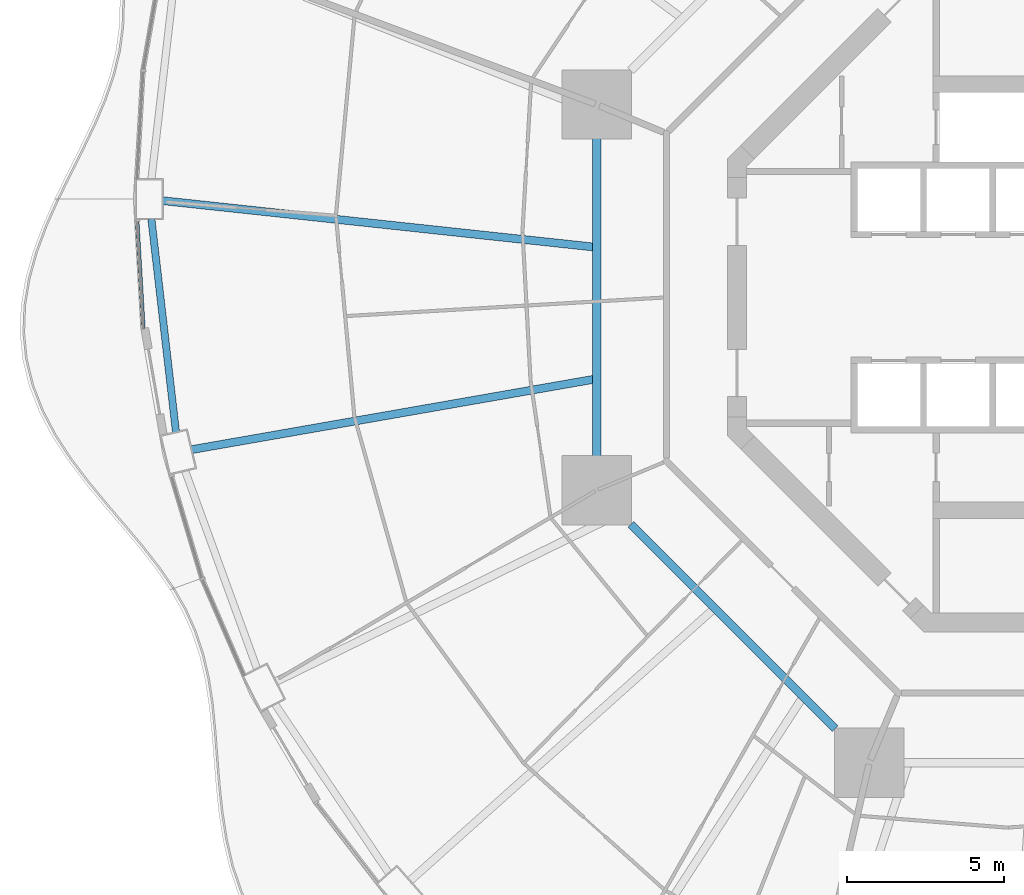
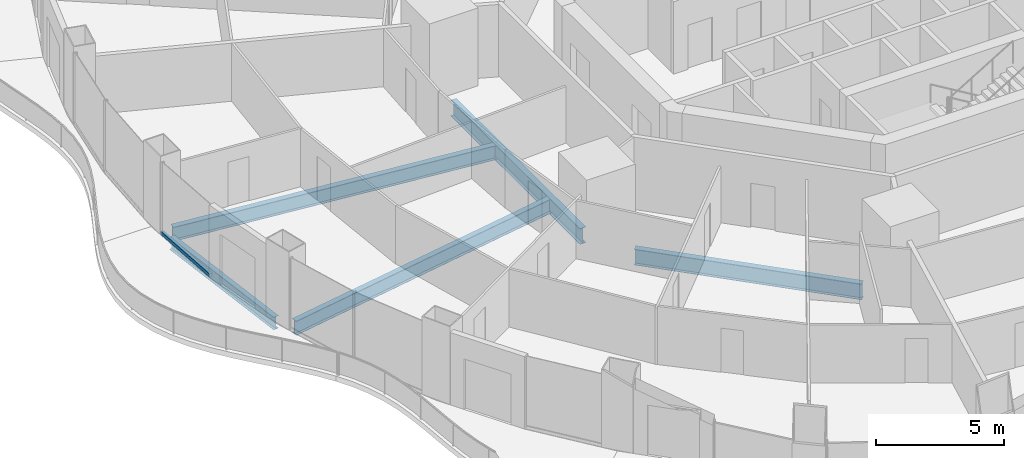
# One storey, part 4 of 22: 5 beams, 1 member, 1 element without a shape of its own.
"""IFC4 building model written with IfcOpenShell, lengths in metres."""

from ifc_helpers import new_model, si_unit, direction, frame, origin, origin_2d, place, context, subcontext, project, spatial, rectangle, i_section, extrude, material, layer, layer_set, material_profile, profile_set, type_object, element, aggregate, save


model = new_model("IFC4")

# Units and contexts
model_context = context("Model", 3, precision=1e-05, world=origin(), true_north=direction((0.0, 1.0)))
body_context = subcontext(model_context, "Body", "Model", "MODEL_VIEW")
ifc_project = project(units=[si_unit("LENGTHUNIT", "METRE"), si_unit("AREAUNIT", "SQUARE_METRE"), si_unit("VOLUMEUNIT", "CUBIC_METRE"), si_unit("PLANEANGLEUNIT", "RADIAN"), si_unit("MASSUNIT", "GRAM", prefix="KILO")], contexts=[model_context])

# Site, building, storey
site_placement = place(None, origin())
site = spatial("IfcSite", under=ifc_project, at=site_placement, CompositionType="ELEMENT")
building_placement = place(site_placement, origin())
building = spatial("IfcBuilding", under=site, at=building_placement, Name="Nagisa Residences", CompositionType="ELEMENT")
storey_placement = place(building_placement, frame((0.0, 0.0, 95.5)))
storey = spatial("IfcBuildingStorey", under=building, at=storey_placement, Name="L23", CompositionType="ELEMENT", Elevation=95.5)

# Curtain wall, member
ifc_material_1 = material(Name="Concrete-coloured aluminium curtain wall system", Category="concrete")
ifc_layer = layer(ifc_material_1, 0.159912109375)
ifc_layer_set = layer_set([ifc_layer], Name="CW1 CURTAIN WALL")
curtain_wall_type = type_object("IfcCurtainWallType", Name="CW1 CURTAIN WALL", PredefinedType="NOTDEFINED", material=ifc_layer_set)
curtain_wall_placement = place(storey_placement, origin())
curtain_wall = element("IfcCurtainWall", 1, at=curtain_wall_placement, inside=storey, type_object=curtain_wall_type, Name="cw:CW1:L23:24", PredefinedType="NOTDEFINED")
ifc_material_2 = material(Name="Concrete-coloured aluminium", Category="concrete")
ifc_material_profile_1 = material_profile(ifc_material_2, rectangle(XDim=0.1201171875, YDim=0.14990234375, at=origin_2d()), Name="CW1 TRANSOM 120x150")
ifc_profile_set_1 = profile_set([ifc_material_profile_1], Name="Concrete-coloured aluminium")
member_type = type_object("IfcMemberType", Name="CW1 TRANSOM 120x150", PredefinedType="USERDEFINED", material=ifc_profile_set_1)
member_placement = place(storey_placement, frame((-29.377685546875, 2.473388671875, 0.074951171875), z_axis=(0.057476526179, -0.99834685803, 0.0), x_axis=(0.99834685803, 0.057476526179, 0.0)))
member = element("IfcMember", 2, at=member_placement, type_object=member_type, Name="CW1 transom", ObjectType="TRANSOM", PredefinedType="USERDEFINED", context=body_context, shape_type="SweptSolid", body=[
    extrude(rectangle(XDim=0.1201171875, YDim=0.14990234375, at=origin_2d()), origin(), (0.0, 0.0, 1.0), 3.47021484375),
])
aggregate(curtain_wall, [member])

# Beams
ifc_material_3 = material(Name="Steel ASTM A572 Gr 50", Category="steel")
ifc_material_profile_2 = material_profile(ifc_material_3, i_section(OverallWidth=0.264892578125, OverallDepth=0.7529296875, WebThickness=0.01318359375, FlangeThickness=0.01708984375, at=origin_2d()), Name="W760x147")
ifc_profile_set_2 = profile_set([ifc_material_profile_2], Name="Steel ASTM A572 Gr 50")
beam_type_1 = type_object("IfcBeamType", Name="Inner ring beam W760x147", PredefinedType="BEAM", material=ifc_profile_set_2)
beam_1_placement = place(storey_placement, frame((-14.781982421875, 5.04296875, -0.636474609375), z_axis=(0.0, -1.0, 0.0), x_axis=(1.0, 0.0, 0.0)))
element("IfcBeam", 3, at=beam_1_placement, inside=storey, type_object=beam_type_1, Name="beam:L23:ib4", PredefinedType="BEAM", context=body_context, shape_type="SweptSolid", body=[
    extrude(i_section(OverallWidth=0.264892578125, OverallDepth=0.7529296875, WebThickness=0.01318359375, FlangeThickness=0.01708984375, at=origin_2d()), origin(), (0.0, 0.0, 1.0), 10.0859375),
])
beam_2_placement = place(storey_placement, frame((-13.6962890625, -7.208740234375, -0.636474609375), z_axis=(0.707106781187, -0.707106781187, 0.0), x_axis=(0.707106781187, 0.707106781187, 0.0)))
element("IfcBeam", 4, at=beam_2_placement, inside=storey, type_object=beam_type_1, Name="beam:L23:ib5", PredefinedType="BEAM", context=body_context, shape_type="SweptSolid", body=[
    extrude(i_section(OverallWidth=0.264892578125, OverallDepth=0.7529296875, WebThickness=0.01318359375, FlangeThickness=0.01708984375, at=origin_2d()), origin(), (0.0, 0.0, 1.0), 9.1748046875),
])
ifc_material_4 = material(Name="Steel ASTM A572 Gr 50", Category="steel")
ifc_material_profile_3 = material_profile(ifc_material_4, i_section(OverallWidth=0.22802734375, OverallDepth=0.60302734375, WebThickness=0.010498046875, FlangeThickness=0.014892578125, at=origin_2d()), Name="W610x101")
ifc_profile_set_3 = profile_set([ifc_material_profile_3], Name="Steel ASTM A572 Gr 50")
beam_type_2 = type_object("IfcBeamType", Name="Perimeter ring beam W610x101", PredefinedType="BEAM", material=ifc_profile_set_3)
beam_3_placement = place(storey_placement, frame((-28.92236328125, 2.487548828125, -0.5615234375), z_axis=(0.114690766503, -0.993401242237, 0.0), x_axis=(0.993401242237, 0.114690766503, 0.0)))
element("IfcBeam", 5, at=beam_3_placement, inside=storey, type_object=beam_type_2, Name="beam:L23:pb13", PredefinedType="BEAM", context=body_context, shape_type="SweptSolid", body=[
    extrude(i_section(OverallWidth=0.22802734375, OverallDepth=0.60302734375, WebThickness=0.010498046875, FlangeThickness=0.014892578125, at=origin_2d()), origin(), (0.0, 0.0, 1.0), 6.811767578125),
])
ifc_material_5 = material(Name="Steel ASTM A572 Gr 50", Category="steel")
ifc_material_profile_4 = material_profile(ifc_material_5, i_section(OverallWidth=0.2529296875, OverallDepth=0.677978515625, WebThickness=0.01171875, FlangeThickness=0.016357421875, at=origin_2d()), Name="W690x125")
ifc_profile_set_4 = profile_set([ifc_material_profile_4], Name="Steel ASTM A572 Gr 50")
beam_type_3 = type_object("IfcBeamType", Name="Radial beam W690x125", PredefinedType="BEAM", material=ifc_profile_set_4)
beam_4_placement = place(storey_placement, frame((-28.56494140625, 3.071533203125, -0.59912109375), z_axis=(0.99426817007, -0.10691494744, 0.0), x_axis=(0.10691494744, 0.99426817007, 0.0)))
element("IfcBeam", 6, at=beam_4_placement, inside=storey, type_object=beam_type_3, Name="beam:L23:rb13", PredefinedType="BEAM", context=body_context, shape_type="SweptSolid", body=[
    extrude(i_section(OverallWidth=0.2529296875, OverallDepth=0.677978515625, WebThickness=0.01171875, FlangeThickness=0.016357421875, at=origin_2d()), origin(), (0.0, 0.0, 1.0), 13.7490234375),
])
beam_5_placement = place(storey_placement, frame((-27.64404296875, -4.83544921875, -0.59912109375), z_axis=(0.985042235616, 0.172313069883, 0.0), x_axis=(-0.172313069883, 0.985042235616, 0.0)))
element("IfcBeam", 7, at=beam_5_placement, inside=storey, type_object=beam_type_3, Name="beam:L23:rb14", PredefinedType="BEAM", context=body_context, shape_type="SweptSolid", body=[
    extrude(i_section(OverallWidth=0.2529296875, OverallDepth=0.677978515625, WebThickness=0.01171875, FlangeThickness=0.016357421875, at=origin_2d()), origin(), (0.0, 0.0, 1.0), 12.94287109375),
])

save(model, "model.ifc")
